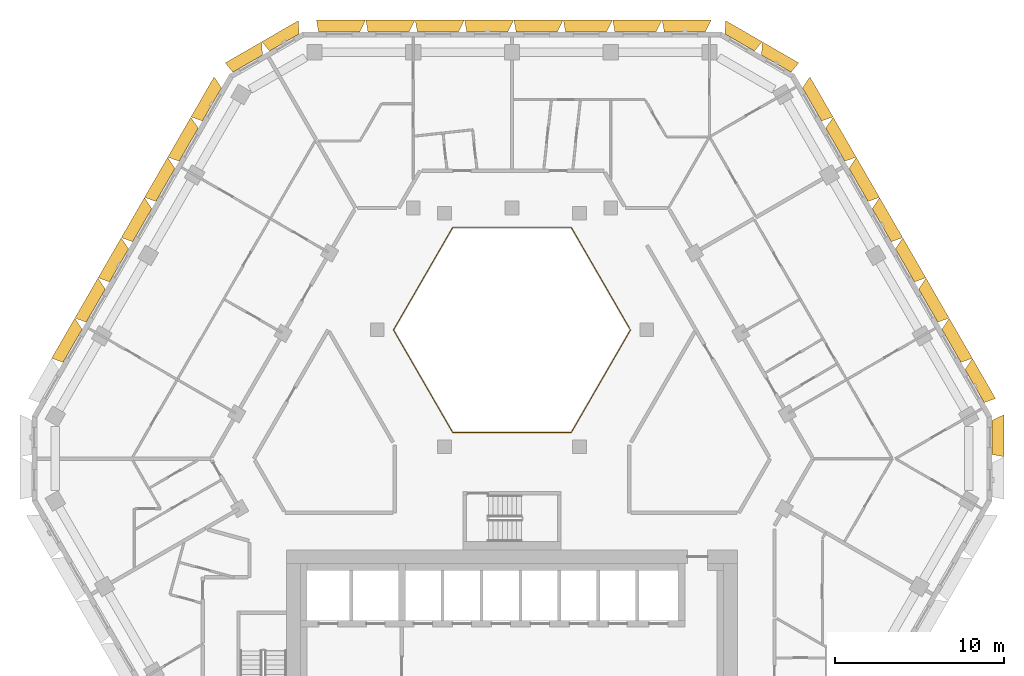
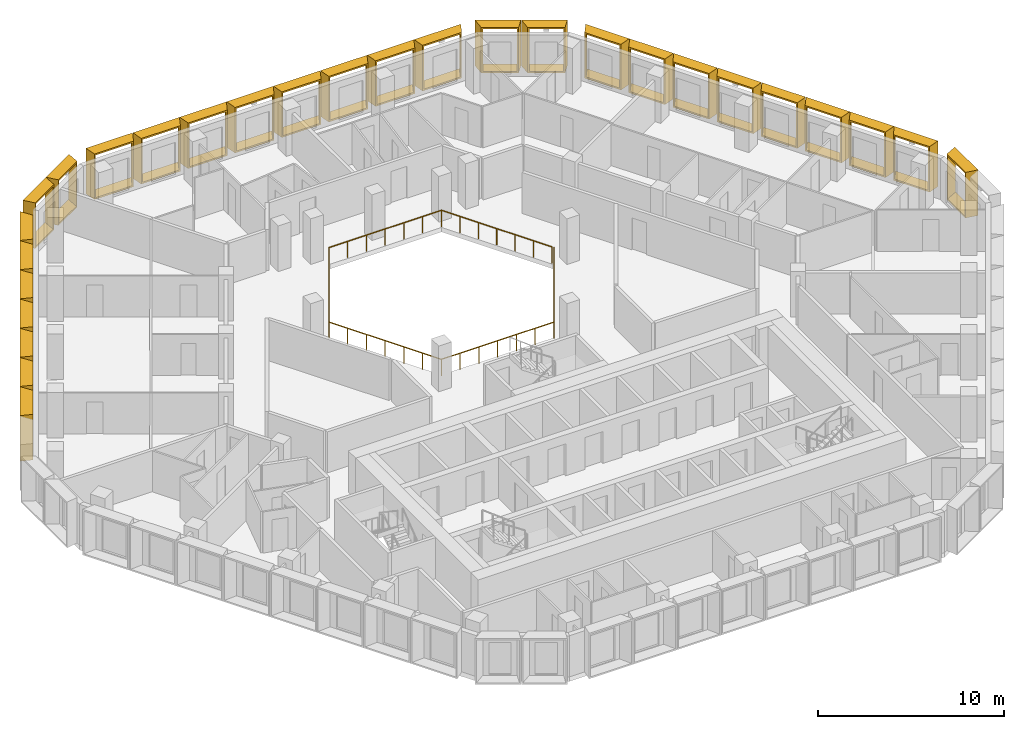
# One storey, part 18 of 18: 28 shading devices, 1 railing.
"""IFC4 building model written with IfcOpenShell, lengths in metres."""

import ifcopenshell
import ifcopenshell.guid

model = None  # the IFC model being written
_history = None  # IfcOwnerHistory: only IFC2X3 demands one
_inside = {}  # id of a spatial element -> (the spatial element, [elements in it])
_under = {}  # id of a project, library or spatial element -> (it, [spatial elements below it])
_declared = {}  # id of a project -> (the project, [libraries it declares])
_typed = {}  # id of a type object -> (the type object, [elements of that type])
_made_of = {}  # id of a material, layer set ... -> (it, [elements and type objects made of it])


def new_model(schema):
    """Start an empty IFC model of exactly this schema.

    Asked for "IFC4X3", IfcOpenShell would pick the latest addendum, in which some entities
    have other attributes; the version numbers below select the first issue.
    IFC2X3 requires an IfcOwnerHistory on every rooted entity: one is made here for all.
    """
    global model, _history
    if schema == "IFC4X3":
        model = ifcopenshell.file(schema_version=(4, 3, 0, 0))
    else:
        model = ifcopenshell.file(schema=schema)
    _inside.clear()
    _under.clear()
    _declared.clear()
    _typed.clear()
    _made_of.clear()
    _history = None
    if model.schema == "IFC2X3":
        org = make("IfcOrganization", Name="unknown")
        user = make(
            "IfcPersonAndOrganization",
            ThePerson=make("IfcPerson", FamilyName="unknown"),
            TheOrganization=org,
        )
        app = make(
            "IfcApplication",
            ApplicationDeveloper=org,
            Version="unknown",
            ApplicationFullName="unknown",
            ApplicationIdentifier="unknown",
        )
        _history = make(
            "IfcOwnerHistory",
            OwningUser=user,
            OwningApplication=app,
            ChangeAction="ADDED",
            CreationDate=0,
        )
    return model


def make(cls, **values):
    """One entity of the class cls with the attributes given. An attribute that is None is left unset."""
    return model.create_entity(
        cls, **{name: value for name, value in values.items() if value is not None}
    )


def entity(cls, *values):
    """Any entity or typed value of the class cls, its attributes in the order of the schema. None: left unset."""
    e = model.create_entity(cls)
    for i, value in enumerate(values):
        if value is not None:
            e[i] = value
    return e


def rooted(cls, **values):
    """An entity with a GlobalId (a new one), such as an element, a storey or a relation."""
    return make(cls, GlobalId=ifcopenshell.guid.new(), OwnerHistory=_history, **values)


def si_unit(unit_type, name, prefix=None):
    """IfcSIUnit, for example si_unit("LENGTHUNIT", "METRE", prefix="MILLI")."""
    return make("IfcSIUnit", UnitType=unit_type, Prefix=prefix, Name=name)


def assignment(units):
    """IfcUnitAssignment: the units of a project."""
    return None if units is None else make("IfcUnitAssignment", Units=units)


def point(xyz):
    """IfcCartesianPoint."""
    return None if xyz is None else make("IfcCartesianPoint", Coordinates=xyz)


def direction(xyz):
    """IfcDirection."""
    return None if xyz is None else make("IfcDirection", DirectionRatios=xyz)


def frame(location, z_axis=None, x_axis=None):
    """IfcAxis2Placement3D, a coordinate frame: its origin and axes. An axis left out is left unset."""
    return make(
        "IfcAxis2Placement3D",
        Location=point(location),
        Axis=direction(z_axis),
        RefDirection=direction(x_axis),
    )


def frame_2d(location, x_axis=None):
    """IfcAxis2Placement2D, a coordinate frame in the plane: its origin and x axis."""
    return make(
        "IfcAxis2Placement2D", Location=point(location), RefDirection=direction(x_axis)
    )


def origin():
    """The frame at (0, 0, 0) with its axes left unset."""
    return frame((0.0, 0.0, 0.0))


def origin_2d():
    """The frame at (0, 0) in the plane with its x axis left unset."""
    return frame_2d((0.0, 0.0))


def place(relative_to, where):
    """IfcLocalPlacement: puts the frame where relative to a parent placement (None: the world)."""
    return make(
        "IfcLocalPlacement", PlacementRelTo=relative_to, RelativePlacement=where
    )


def context(
    kind, dimensions, precision=None, world=None, true_north=None, identifier=None
):
    """IfcGeometricRepresentationContext, for example the 3D "Model" context."""
    return make(
        "IfcGeometricRepresentationContext",
        ContextIdentifier=identifier,
        ContextType=kind,
        CoordinateSpaceDimension=dimensions,
        Precision=precision,
        WorldCoordinateSystem=world,
        TrueNorth=true_north,
    )


def subcontext(parent, identifier, kind, view, scale=None):
    """IfcGeometricRepresentationSubContext, for example "Body" below "Model"."""
    return make(
        "IfcGeometricRepresentationSubContext",
        ContextIdentifier=identifier,
        ContextType=kind,
        ParentContext=parent,
        TargetScale=scale,
        TargetView=view,
    )


def project(units=None, contexts=None):
    """IfcProject with its units and contexts."""
    return rooted(
        "IfcProject",
        Name="project",
        RepresentationContexts=contexts,
        UnitsInContext=assignment(units),
    )


def spatial(cls, under=None, at=None, **own):
    """A site, building, storey or space (cls), placed at a placement, below another one or the project."""
    s = rooted(cls, ObjectPlacement=at, **own)
    if under is not None:
        _under.setdefault(under.id(), (under, []))[1].append(s)
    return s


def profile(cls, at=None, kind="AREA", **sizes):
    """A parametric profile (cls). Its sizes go by their IFC names, for example OverallWidth=200.0."""
    return make(cls, ProfileType=kind, Position=at, **sizes)


def rectangle(**sizes):
    """IfcRectangleProfileDef."""
    return profile("IfcRectangleProfileDef", **sizes)


def extrude(swept, where, along, depth):
    """IfcExtrudedAreaSolid: the profile swept, set in the frame where, extruded along a direction by depth."""
    return make(
        "IfcExtrudedAreaSolid",
        SweptArea=swept,
        Position=where,
        ExtrudedDirection=direction(along),
        Depth=depth,
    )


def shape(context_of_items, identifier, shape_type, items):
    """IfcShapeRepresentation: the items that make up one representation, for example the "Body"."""
    return make(
        "IfcShapeRepresentation",
        ContextOfItems=context_of_items,
        RepresentationIdentifier=identifier,
        RepresentationType=shape_type,
        Items=items,
    )


def source(mapping_origin, context_of_items, identifier, shape_type, items):
    """IfcRepresentationMap: a shape defined once, which mapped items show again and again."""
    return make(
        "IfcRepresentationMap",
        MappingOrigin=mapping_origin,
        MappedRepresentation=shape(context_of_items, identifier, shape_type, items),
    )


def transform(
    local_origin,
    x_axis=None,
    y_axis=None,
    z_axis=None,
    scale=None,
    scale2=None,
    scale3=None,
    uniform=True,
):
    """IfcCartesianTransformationOperator3D, or its non-uniform kind. x_axis, y_axis, z_axis: its Axis1, 2, 3."""
    if uniform:
        return make(
            "IfcCartesianTransformationOperator3D",
            Axis1=direction(x_axis),
            Axis2=direction(y_axis),
            LocalOrigin=point(local_origin),
            Scale=scale,
            Axis3=direction(z_axis),
        )
    return make(
        "IfcCartesianTransformationOperator3DnonUniform",
        Axis1=direction(x_axis),
        Axis2=direction(y_axis),
        LocalOrigin=point(local_origin),
        Scale=scale,
        Axis3=direction(z_axis),
        Scale2=scale2,
        Scale3=scale3,
    )


def mapped(mapping_source, mapping_target):
    """IfcMappedItem: shows the shape of a source again, moved by a transform."""
    return make(
        "IfcMappedItem", MappingSource=mapping_source, MappingTarget=mapping_target
    )


def material(Name=None, Category=None):
    """IfcMaterial."""
    return make("IfcMaterial", Name=Name, Category=Category)


def made_of(thing, what):
    """Note that an element or type object is made of a material, layer set ...; save() writes the relation."""
    if what is not None:
        _made_of.setdefault(what.id(), (what, []))[1].append(thing)
    return thing


def type_object(cls, material=None, **own):
    """A type object (cls), such as IfcWallType, which elements share."""
    return made_of(rooted(cls, **own), material)


def type_shapes(of_type, sources):
    """Give a type object the sources (RepresentationMaps) that its elements show as mapped items."""
    of_type.RepresentationMaps = sources


def element(
    cls,
    number,
    at=None,
    inside=None,
    cuts=None,
    type_object=None,
    material=None,
    context=None,
    identifier="Body",
    shape_type=None,
    held_by="IfcProductDefinitionShape",
    body=None,
    shapes=None,
    **own,
):
    """One element of the class cls, such as IfcWall. Its Tag is "e" and its number.

    at: its placement. inside: the storey or other place that contains it. cuts: it is an
    opening in that element (IfcRelVoidsElement). A single representation is given by context,
    identifier, shape_type and body (its items); several are given by shapes. held_by: the class
    of the entity that holds the representations. save() writes the other relations.
    """
    e = rooted(cls, Tag="e%d" % number, ObjectPlacement=at, **own)
    if body is not None:
        shapes = [shape(context, identifier, shape_type, body)]
    if shapes is not None:
        e.Representation = make(held_by, Representations=shapes)
    if inside is not None:
        _inside.setdefault(inside.id(), (inside, []))[1].append(e)
    if cuts is not None:
        rooted(
            "IfcRelVoidsElement", RelatingBuildingElement=cuts, RelatedOpeningElement=e
        )
    if type_object is not None:
        _typed.setdefault(type_object.id(), (type_object, []))[1].append(e)
    return made_of(e, material)


def aggregate(whole, parts):
    """IfcRelAggregates: a whole, such as a stair, and the parts it consists of."""
    return rooted("IfcRelAggregates", RelatingObject=whole, RelatedObjects=parts)


def save(model, path):
    """Write the relations noted so far, then the file.

    IfcRelAggregates (storeys below a building ...), IfcRelContainedInSpatialStructure (elements
    in a storey), IfcRelDefinesByType, IfcRelAssociatesMaterial and IfcRelDeclares: one each for
    every whole, place, type object, material and project.
    """
    for whole, parts in _under.values():
        aggregate(whole, parts)
    for where, things in _inside.values():
        rooted(
            "IfcRelContainedInSpatialStructure",
            RelatedElements=things,
            RelatingStructure=where,
        )
    for kind, things in _typed.values():
        rooted("IfcRelDefinesByType", RelatedObjects=things, RelatingType=kind)
    for what, things in _made_of.values():
        rooted("IfcRelAssociatesMaterial", RelatedObjects=things, RelatingMaterial=what)
    for by, libraries in _declared.values():
        rooted("IfcRelDeclares", RelatingContext=by, RelatedDefinitions=libraries)
    model.write(path)


model = new_model("IFC4")

# Units and contexts
model_context = context("Model", 3, precision=1e-05, world=origin(), true_north=direction((0.0, 1.0)))
body_context = subcontext(model_context, "Body", "Model", "MODEL_VIEW")
ifc_project = project(units=[si_unit("LENGTHUNIT", "METRE"), si_unit("AREAUNIT", "SQUARE_METRE"), si_unit("VOLUMEUNIT", "CUBIC_METRE"), si_unit("PLANEANGLEUNIT", "RADIAN"), si_unit("MASSUNIT", "GRAM", prefix="KILO")], contexts=[model_context])

# Site, building, storey
site_placement = place(None, origin())
site = spatial("IfcSite", under=ifc_project, at=site_placement, CompositionType="ELEMENT")
building_placement = place(site_placement, origin())
building = spatial("IfcBuilding", under=site, at=building_placement, Name="Beryl Residences", CompositionType="ELEMENT")
storey_placement = place(building_placement, frame((0.0, 0.0, 138.60009765625)))
storey = spatial("IfcBuildingStorey", under=building, at=storey_placement, Name="L42", CompositionType="ELEMENT", Elevation=138.60009765625)

# Railing
ifc_material_1 = material(Name="Stainless steel balustrade with glass infill", Category="steel")
railing_type = type_object("IfcRailingType", Name="EG1 edge guard 1100 mm", PredefinedType="GUARDRAIL", material=ifc_material_1)
railing_placement = place(storey_placement, frame((6.9970703125, 8.0, 0.0)))
element("IfcRailing", 1, at=railing_placement, inside=storey, type_object=railing_type, Name="L42 atrium guard", PredefinedType="GUARDRAIL", context=body_context, shape_type="SweptSolid", body=[
    extrude(rectangle(XDim=0.048095703125, YDim=0.048095703125, at=origin_2d()), frame((0.0, 0.0, 1.076171875), z_axis=(-0.499921796684, -0.866070549782, 0.0), x_axis=(0.866070549782, -0.499921796684, 0.0)), (0.0, 0.0, 1.0), 6.9970703125),
    extrude(rectangle(XDim=0.048095703125, YDim=0.048095703125, at=origin_2d()), frame((-3.498046875, -6.06005859375, 1.076171875), z_axis=(-1.0, 0.0, 0.0), x_axis=(0.0, -1.0, 0.0)), (0.0, 0.0, 1.0), 6.998046875),
    extrude(rectangle(XDim=0.048095703125, YDim=0.048095703125, at=origin_2d()), frame((-10.49609375, -6.06005859375, 1.076171875), z_axis=(-0.499921796684, 0.866070549782, 0.0), x_axis=(-0.866070549782, -0.499921796684, 0.0)), (0.0, 0.0, 1.0), 6.9970703125),
    extrude(rectangle(XDim=0.048095703125, YDim=0.048095703125, at=origin_2d()), frame((-13.994140625, 0.0, 1.076171875), z_axis=(0.499921796684, 0.866070549782, 0.0), x_axis=(-0.866070549782, 0.499921796684, 0.0)), (0.0, 0.0, 1.0), 6.9970703125),
    extrude(rectangle(XDim=0.048095703125, YDim=0.048095703125, at=origin_2d()), frame((-10.49609375, 6.06005859375, 1.076171875), z_axis=(1.0, 0.0, 0.0), x_axis=(0.0, 1.0, 0.0)), (0.0, 0.0, 1.0), 6.998046875),
    extrude(rectangle(XDim=0.048095703125, YDim=0.048095703125, at=origin_2d()), frame((-3.498046875, 6.06005859375, 1.076171875), z_axis=(0.499919131929, -0.866072087953, 0.0), x_axis=(0.866072087953, 0.499919131929, 0.0)), (0.0, 0.0, 1.0), 6.877197265625),
    extrude(rectangle(XDim=0.0419921875, YDim=0.0419921875, at=origin_2d()), origin(), (0.0, 0.0, 1.0), 1.052001953125),
    extrude(rectangle(XDim=0.0419921875, YDim=0.0419921875, at=origin_2d()), frame((-0.5830078125, -1.010009765625, 0.0)), (0.0, 0.0, 1.0), 1.052001953125),
    extrude(rectangle(XDim=0.0419921875, YDim=0.0419921875, at=origin_2d()), frame((-1.166015625, -2.02001953125, 0.0)), (0.0, 0.0, 1.0), 1.052001953125),
    extrude(rectangle(XDim=0.0419921875, YDim=0.0419921875, at=origin_2d()), frame((-1.7490234375, -3.030029296875, 0.0)), (0.0, 0.0, 1.0), 1.052001953125),
    extrude(rectangle(XDim=0.0419921875, YDim=0.0419921875, at=origin_2d()), frame((-2.33203125, -4.0400390625, 0.0)), (0.0, 0.0, 1.0), 1.052001953125),
    extrude(rectangle(XDim=0.0419921875, YDim=0.0419921875, at=origin_2d()), frame((-2.9150390625, -5.050048828125, 0.0)), (0.0, 0.0, 1.0), 1.052001953125),
    extrude(rectangle(XDim=0.0419921875, YDim=0.0419921875, at=origin_2d()), frame((-3.498046875, -6.06005859375, 0.0)), (0.0, 0.0, 1.0), 1.052001953125),
    extrude(rectangle(XDim=0.0419921875, YDim=0.0419921875, at=origin_2d()), frame((-4.664306640625, -6.06005859375, 0.0)), (0.0, 0.0, 1.0), 1.052001953125),
    extrude(rectangle(XDim=0.0419921875, YDim=0.0419921875, at=origin_2d()), frame((-5.830810546875, -6.06005859375, 0.0)), (0.0, 0.0, 1.0), 1.052001953125),
    extrude(rectangle(XDim=0.0419921875, YDim=0.0419921875, at=origin_2d()), frame((-6.9970703125, -6.06005859375, 0.0)), (0.0, 0.0, 1.0), 1.052001953125),
    extrude(rectangle(XDim=0.0419921875, YDim=0.0419921875, at=origin_2d()), frame((-8.163330078125, -6.06005859375, 0.0)), (0.0, 0.0, 1.0), 1.052001953125),
    extrude(rectangle(XDim=0.0419921875, YDim=0.0419921875, at=origin_2d()), frame((-9.329833984375, -6.06005859375, 0.0)), (0.0, 0.0, 1.0), 1.052001953125),
    extrude(rectangle(XDim=0.0419921875, YDim=0.0419921875, at=origin_2d()), frame((-10.49609375, -6.06005859375, 0.0)), (0.0, 0.0, 1.0), 1.052001953125),
    extrude(rectangle(XDim=0.0419921875, YDim=0.0419921875, at=origin_2d()), frame((-11.0791015625, -5.050048828125, 0.0)), (0.0, 0.0, 1.0), 1.052001953125),
    extrude(rectangle(XDim=0.0419921875, YDim=0.0419921875, at=origin_2d()), frame((-11.662109375, -4.0400390625, 0.0)), (0.0, 0.0, 1.0), 1.052001953125),
    extrude(rectangle(XDim=0.0419921875, YDim=0.0419921875, at=origin_2d()), frame((-12.2451171875, -3.030029296875, 0.0)), (0.0, 0.0, 1.0), 1.052001953125),
    extrude(rectangle(XDim=0.0419921875, YDim=0.0419921875, at=origin_2d()), frame((-12.828125, -2.02001953125, 0.0)), (0.0, 0.0, 1.0), 1.052001953125),
    extrude(rectangle(XDim=0.0419921875, YDim=0.0419921875, at=origin_2d()), frame((-13.4111328125, -1.010009765625, 0.0)), (0.0, 0.0, 1.0), 1.052001953125),
    extrude(rectangle(XDim=0.0419921875, YDim=0.0419921875, at=origin_2d()), frame((-13.994140625, 0.0, 0.0)), (0.0, 0.0, 1.0), 1.052001953125),
    extrude(rectangle(XDim=0.0419921875, YDim=0.0419921875, at=origin_2d()), frame((-13.4111328125, 1.010009765625, 0.0)), (0.0, 0.0, 1.0), 1.052001953125),
    extrude(rectangle(XDim=0.0419921875, YDim=0.0419921875, at=origin_2d()), frame((-12.828125, 2.02001953125, 0.0)), (0.0, 0.0, 1.0), 1.052001953125),
    extrude(rectangle(XDim=0.0419921875, YDim=0.0419921875, at=origin_2d()), frame((-12.2451171875, 3.030029296875, 0.0)), (0.0, 0.0, 1.0), 1.052001953125),
    extrude(rectangle(XDim=0.0419921875, YDim=0.0419921875, at=origin_2d()), frame((-11.662109375, 4.0400390625, 0.0)), (0.0, 0.0, 1.0), 1.052001953125),
    extrude(rectangle(XDim=0.0419921875, YDim=0.0419921875, at=origin_2d()), frame((-11.0791015625, 5.050048828125, 0.0)), (0.0, 0.0, 1.0), 1.052001953125),
    extrude(rectangle(XDim=0.0419921875, YDim=0.0419921875, at=origin_2d()), frame((-10.49609375, 6.06005859375, 0.0)), (0.0, 0.0, 1.0), 1.052001953125),
    extrude(rectangle(XDim=0.0419921875, YDim=0.0419921875, at=origin_2d()), frame((-9.329833984375, 6.06005859375, 0.0)), (0.0, 0.0, 1.0), 1.052001953125),
    extrude(rectangle(XDim=0.0419921875, YDim=0.0419921875, at=origin_2d()), frame((-8.163330078125, 6.06005859375, 0.0)), (0.0, 0.0, 1.0), 1.052001953125),
    extrude(rectangle(XDim=0.0419921875, YDim=0.0419921875, at=origin_2d()), frame((-6.9970703125, 6.06005859375, 0.0)), (0.0, 0.0, 1.0), 1.052001953125),
    extrude(rectangle(XDim=0.0419921875, YDim=0.0419921875, at=origin_2d()), frame((-5.830810546875, 6.06005859375, 0.0)), (0.0, 0.0, 1.0), 1.052001953125),
    extrude(rectangle(XDim=0.0419921875, YDim=0.0419921875, at=origin_2d()), frame((-4.664306640625, 6.06005859375, 0.0)), (0.0, 0.0, 1.0), 1.052001953125),
    extrude(rectangle(XDim=0.0419921875, YDim=0.0419921875, at=origin_2d()), frame((-3.498046875, 6.06005859375, 0.0)), (0.0, 0.0, 1.0), 1.052001953125),
    extrude(rectangle(XDim=0.0419921875, YDim=0.0419921875, at=origin_2d()), frame((-2.925048828125, 5.0673828125, 0.0)), (0.0, 0.0, 1.0), 1.052001953125),
    extrude(rectangle(XDim=0.0419921875, YDim=0.0419921875, at=origin_2d()), frame((-2.35205078125, 4.07470703125, 0.0)), (0.0, 0.0, 1.0), 1.052001953125),
    extrude(rectangle(XDim=0.0419921875, YDim=0.0419921875, at=origin_2d()), frame((-1.779052734375, 3.08203125, 0.0)), (0.0, 0.0, 1.0), 1.052001953125),
    extrude(rectangle(XDim=0.0419921875, YDim=0.0419921875, at=origin_2d()), frame((-1.2060546875, 2.08935546875, 0.0)), (0.0, 0.0, 1.0), 1.052001953125),
    extrude(rectangle(XDim=0.0419921875, YDim=0.0419921875, at=origin_2d()), frame((-0.633056640625, 1.0966796875, 0.0)), (0.0, 0.0, 1.0), 1.052001953125),
    extrude(rectangle(XDim=0.0419921875, YDim=0.0419921875, at=origin_2d()), frame((-0.06005859375, 0.10400390625, 0.0)), (0.0, 0.0, 1.0), 1.052001953125),
])

# Shading devices
ifc_material_2 = material(Name="Aluminium pale anodised", Category="aluminium")
shading_device_type_1 = type_object("IfcShadingDeviceType", Name="FR250-70B OUTER SKIN frame 700 mm deep, splay 26/10 deg, 2500 x 3000 mm cell", PredefinedType="USERDEFINED", material=ifc_material_2)
cartesian_point_1 = entity("IfcCartesianPoint", [-1.007568359375, 0.0])
cartesian_point_2 = entity("IfcCartesianPoint", [-0.91845703125, 0.10009765625])
cartesian_point_3 = entity("IfcCartesianPoint", [-1.348876953125, 0.0])
cartesian_point_4 = entity("IfcCartesianPoint", [-1.260009765625, 0.10009765625])
shared_shape_1 = source(origin(), body_context, "Body", "SweptSolid", [
    entity("IfcExtrudedAreaSolidTapered", entity("IfcArbitraryProfileDefWithVoids", "AREA", None, entity("IfcPolyline", [cartesian_point_1, entity("IfcCartesianPoint", [1.007568359375, 0.0]), entity("IfcCartesianPoint", [1.007568359375, 3.0]), entity("IfcCartesianPoint", [-1.007568359375, 3.0]), cartesian_point_1]), [entity("IfcPolyline", [cartesian_point_2, entity("IfcCartesianPoint", [0.92626953125, 0.10009765625]), entity("IfcCartesianPoint", [0.92626953125, 2.89990234375]), entity("IfcCartesianPoint", [-0.91845703125, 2.89990234375]), cartesian_point_2])]), entity("IfcAxis2Placement3D", entity("IfcCartesianPoint", [0.0, 0.0, 0.0]), entity("IfcDirection", [0.0, 1.0, 0.0]), entity("IfcDirection", [-1.0, 0.0, 0.0])), entity("IfcDirection", [0.0, 0.0, 1.0]), 0.699951171875, entity("IfcArbitraryProfileDefWithVoids", "AREA", None, entity("IfcPolyline", [cartesian_point_3, entity("IfcCartesianPoint", [1.130859375, 0.0]), entity("IfcCartesianPoint", [1.130859375, 3.0]), entity("IfcCartesianPoint", [-1.348876953125, 3.0]), cartesian_point_3]), [entity("IfcPolyline", [cartesian_point_4, entity("IfcCartesianPoint", [1.0498046875, 0.10009765625]), entity("IfcCartesianPoint", [1.0498046875, 2.89990234375]), entity("IfcCartesianPoint", [-1.260009765625, 2.89990234375]), cartesian_point_4])])),
])
type_shapes(shading_device_type_1, [shared_shape_1])
for number, where, z_axis, x_axis, name in (
    (2, (-13.43798828125, 24.97509765625, 0.0), (0.0, 0.0, 1.0), (0.866025403784, 0.5, 0.0), "FR250-70B frame L42 N-NW 1"),
    (3, (-15.60205078125, 23.72509765625, 0.0), (0.0, 0.0, 1.0), (0.866025403784, 0.5, 0.0), "FR250-70B frame L42 N-NW 2"),
):
    element("IfcShadingDevice", number, at=place(storey_placement, frame(where, z_axis=z_axis, x_axis=x_axis)), inside=storey, type_object=shading_device_type_1, Name=name, ObjectType="OUTER SKIN", PredefinedType="USERDEFINED", context=body_context, shape_type="MappedRepresentation", body=[
        mapped(shared_shape_1, transform((0.0, 0.0, 0.0))),
    ])
ifc_material_3 = material(Name="Aluminium pale anodised", Category="aluminium")
shading_device_type_2 = type_object("IfcShadingDeviceType", Name="FR250-70C OUTER SKIN frame 700 mm deep, splay 10/26 deg, 2500 x 3000 mm cell", PredefinedType="USERDEFINED", material=ifc_material_3)
cartesian_point_5 = entity("IfcCartesianPoint", [-1.007568359375, 0.0])
cartesian_point_6 = entity("IfcCartesianPoint", [-0.92626953125, 0.10009765625])
cartesian_point_7 = entity("IfcCartesianPoint", [-1.130859375, 0.0])
cartesian_point_8 = entity("IfcCartesianPoint", [-1.0498046875, 0.10009765625])
shared_shape_2 = source(origin(), body_context, "Body", "SweptSolid", [
    entity("IfcExtrudedAreaSolidTapered", entity("IfcArbitraryProfileDefWithVoids", "AREA", None, entity("IfcPolyline", [cartesian_point_5, entity("IfcCartesianPoint", [1.007568359375, 0.0]), entity("IfcCartesianPoint", [1.007568359375, 3.0]), entity("IfcCartesianPoint", [-1.007568359375, 3.0]), cartesian_point_5]), [entity("IfcPolyline", [cartesian_point_6, entity("IfcCartesianPoint", [0.91845703125, 0.10009765625]), entity("IfcCartesianPoint", [0.91845703125, 2.89990234375]), entity("IfcCartesianPoint", [-0.92626953125, 2.89990234375]), cartesian_point_6])]), entity("IfcAxis2Placement3D", entity("IfcCartesianPoint", [0.0, 0.0, 0.0]), entity("IfcDirection", [0.0, 1.0, 0.0]), entity("IfcDirection", [-1.0, 0.0, 0.0])), entity("IfcDirection", [0.0, 0.0, 1.0]), 0.699951171875, entity("IfcArbitraryProfileDefWithVoids", "AREA", None, entity("IfcPolyline", [cartesian_point_7, entity("IfcCartesianPoint", [1.348876953125, 0.0]), entity("IfcCartesianPoint", [1.348876953125, 3.0]), entity("IfcCartesianPoint", [-1.130859375, 3.0]), cartesian_point_7]), [entity("IfcPolyline", [cartesian_point_8, entity("IfcCartesianPoint", [1.260009765625, 0.10009765625]), entity("IfcCartesianPoint", [1.260009765625, 2.89990234375]), entity("IfcCartesianPoint", [-1.0498046875, 2.89990234375]), cartesian_point_8])])),
])
type_shapes(shading_device_type_2, [shared_shape_2])
for number, where, z_axis, x_axis, name in (
    (4, (28.347900390625, 1.64990234375, 0.0), (0.0, 0.0, 1.0), (0.0, -1.0, 0.0), "FR250-70C frame L42 SE-NE 2"),
    (5, (15.60205078125, 23.72509765625, 0.0), (0.0, 0.0, 1.0), (0.866025403784, -0.5, 0.0), "FR250-70C frame L42 NE-N 1"),
    (6, (13.43798828125, 24.97509765625, 0.0), (0.0, 0.0, 1.0), (0.866025403784, -0.5, 0.0), "FR250-70C frame L42 NE-N 2"),
):
    element("IfcShadingDevice", number, at=place(storey_placement, frame(where, z_axis=z_axis, x_axis=x_axis)), inside=storey, type_object=shading_device_type_2, Name=name, ObjectType="OUTER SKIN", PredefinedType="USERDEFINED", context=body_context, shape_type="MappedRepresentation", body=[
        mapped(shared_shape_2, transform((0.0, 0.0, 0.0))),
    ])
ifc_material_4 = material(Name="Aluminium pale anodised", Category="aluminium")
shading_device_type_3 = type_object("IfcShadingDeviceType", Name="FR274-70B OUTER SKIN frame 700 mm deep, splay 26/10 deg, 2740 x 3000 mm cell", PredefinedType="USERDEFINED", material=ifc_material_4)
cartesian_point_9 = entity("IfcCartesianPoint", [-1.12744140625, 0.0])
cartesian_point_10 = entity("IfcCartesianPoint", [-1.03857421875, 0.10009765625])
cartesian_point_11 = entity("IfcCartesianPoint", [-1.468994140625, 0.0])
cartesian_point_12 = entity("IfcCartesianPoint", [-1.3798828125, 0.10009765625])
shared_shape_3 = source(origin(), body_context, "Body", "SweptSolid", [
    entity("IfcExtrudedAreaSolidTapered", entity("IfcArbitraryProfileDefWithVoids", "AREA", None, entity("IfcPolyline", [cartesian_point_9, entity("IfcCartesianPoint", [1.12744140625, 0.0]), entity("IfcCartesianPoint", [1.12744140625, 3.0]), entity("IfcCartesianPoint", [-1.12744140625, 3.0]), cartesian_point_9]), [entity("IfcPolyline", [cartesian_point_10, entity("IfcCartesianPoint", [1.04638671875, 0.10009765625]), entity("IfcCartesianPoint", [1.04638671875, 2.89990234375]), entity("IfcCartesianPoint", [-1.03857421875, 2.89990234375]), cartesian_point_10])]), entity("IfcAxis2Placement3D", entity("IfcCartesianPoint", [0.0, 0.0, 0.0]), entity("IfcDirection", [0.0, 1.0, 0.0]), entity("IfcDirection", [-1.0, 0.0, 0.0])), entity("IfcDirection", [0.0, 0.0, 1.0]), 0.699951171875, entity("IfcArbitraryProfileDefWithVoids", "AREA", None, entity("IfcPolyline", [cartesian_point_11, entity("IfcCartesianPoint", [1.2509765625, 0.0]), entity("IfcCartesianPoint", [1.2509765625, 3.0]), entity("IfcCartesianPoint", [-1.468994140625, 3.0]), cartesian_point_11]), [entity("IfcPolyline", [cartesian_point_12, entity("IfcCartesianPoint", [1.169677734375, 0.10009765625]), entity("IfcCartesianPoint", [1.169677734375, 2.89990234375]), entity("IfcCartesianPoint", [-1.3798828125, 2.89990234375]), cartesian_point_12])])),
])
type_shapes(shading_device_type_3, [shared_shape_3])
for number, where, z_axis, x_axis, name in (
    (7, (-17.718017578125, 21.31298828125, 0.0), (0.0, 0.0, 1.0), (0.5, 0.866025403784, 0.0), "FR274-70B frame L42 NW 1"),
    (8, (-19.089111328125, 18.93798828125, 0.0), (0.0, 0.0, 1.0), (0.5, 0.866025403784, 0.0), "FR274-70B frame L42 NW 2"),
    (9, (-20.4599609375, 16.56298828125, 0.0), (0.0, 0.0, 1.0), (0.5, 0.866025403784, 0.0), "FR274-70B frame L42 NW 3"),
    (10, (-21.8310546875, 14.18798828125, 0.0), (0.0, 0.0, 1.0), (0.5, 0.866025403784, 0.0), "FR274-70B frame L42 NW 4"),
    (11, (-23.202880859375, 11.81201171875, 0.0), (0.0, 0.0, 1.0), (0.5, 0.866025403784, 0.0), "FR274-70B frame L42 NW 5"),
    (12, (-24.573974609375, 9.43701171875, 0.0), (0.0, 0.0, 1.0), (0.5, 0.866025403784, 0.0), "FR274-70B frame L42 NW 6"),
    (13, (-25.945068359375, 7.06201171875, 0.0), (0.0, 0.0, 1.0), (0.5, 0.866025403784, 0.0), "FR274-70B frame L42 NW 7"),
):
    element("IfcShadingDevice", number, at=place(storey_placement, frame(where, z_axis=z_axis, x_axis=x_axis)), inside=storey, type_object=shading_device_type_3, Name=name, ObjectType="OUTER SKIN", PredefinedType="USERDEFINED", context=body_context, shape_type="MappedRepresentation", body=[
        mapped(shared_shape_3, transform((0.0, 0.0, 0.0))),
    ])
ifc_material_5 = material(Name="Aluminium pale anodised", Category="aluminium")
shading_device_type_4 = type_object("IfcShadingDeviceType", Name="FR274-70C OUTER SKIN frame 700 mm deep, splay 10/26 deg, 2740 x 3000 mm cell", PredefinedType="USERDEFINED", material=ifc_material_5)
cartesian_point_13 = entity("IfcCartesianPoint", [-1.12744140625, 0.0])
cartesian_point_14 = entity("IfcCartesianPoint", [-1.04638671875, 0.10009765625])
cartesian_point_15 = entity("IfcCartesianPoint", [-1.2509765625, 0.0])
cartesian_point_16 = entity("IfcCartesianPoint", [-1.169677734375, 0.10009765625])
shared_shape_4 = source(origin(), body_context, "Body", "SweptSolid", [
    entity("IfcExtrudedAreaSolidTapered", entity("IfcArbitraryProfileDefWithVoids", "AREA", None, entity("IfcPolyline", [cartesian_point_13, entity("IfcCartesianPoint", [1.12744140625, 0.0]), entity("IfcCartesianPoint", [1.12744140625, 3.0]), entity("IfcCartesianPoint", [-1.12744140625, 3.0]), cartesian_point_13]), [entity("IfcPolyline", [cartesian_point_14, entity("IfcCartesianPoint", [1.03857421875, 0.10009765625]), entity("IfcCartesianPoint", [1.03857421875, 2.89990234375]), entity("IfcCartesianPoint", [-1.04638671875, 2.89990234375]), cartesian_point_14])]), entity("IfcAxis2Placement3D", entity("IfcCartesianPoint", [0.0, 0.0, 0.0]), entity("IfcDirection", [0.0, 1.0, 0.0]), entity("IfcDirection", [-1.0, 0.0, 0.0])), entity("IfcDirection", [0.0, 0.0, 1.0]), 0.699951171875, entity("IfcArbitraryProfileDefWithVoids", "AREA", None, entity("IfcPolyline", [cartesian_point_15, entity("IfcCartesianPoint", [1.468994140625, 0.0]), entity("IfcCartesianPoint", [1.468994140625, 3.0]), entity("IfcCartesianPoint", [-1.2509765625, 3.0]), cartesian_point_15]), [entity("IfcPolyline", [cartesian_point_16, entity("IfcCartesianPoint", [1.3798828125, 0.10009765625]), entity("IfcCartesianPoint", [1.3798828125, 2.89990234375]), entity("IfcCartesianPoint", [-1.169677734375, 2.89990234375]), cartesian_point_16])])),
])
type_shapes(shading_device_type_4, [shared_shape_4])
for number, where, z_axis, x_axis, name in (
    (14, (27.31591796875, 4.68701171875, 0.0), (0.0, 0.0, 1.0), (0.5, -0.866025403784, 0.0), "FR274-70C frame L42 NE 1"),
    (15, (25.945068359375, 7.06201171875, 0.0), (0.0, 0.0, 1.0), (0.5, -0.866025403784, 0.0), "FR274-70C frame L42 NE 2"),
    (16, (24.573974609375, 9.43701171875, 0.0), (0.0, 0.0, 1.0), (0.5, -0.866025403784, 0.0), "FR274-70C frame L42 NE 3"),
    (17, (23.202880859375, 11.81201171875, 0.0), (0.0, 0.0, 1.0), (0.5, -0.866025403784, 0.0), "FR274-70C frame L42 NE 4"),
    (18, (21.8310546875, 14.18798828125, 0.0), (0.0, 0.0, 1.0), (0.5, -0.866025403784, 0.0), "FR274-70C frame L42 NE 5"),
    (19, (20.4599609375, 16.56298828125, 0.0), (0.0, 0.0, 1.0), (0.5, -0.866025403784, 0.0), "FR274-70C frame L42 NE 6"),
    (20, (19.089111328125, 18.93798828125, 0.0), (0.0, 0.0, 1.0), (0.5, -0.866025403784, 0.0), "FR274-70C frame L42 NE 7"),
    (21, (17.718017578125, 21.31298828125, 0.0), (0.0, 0.0, 1.0), (0.5, -0.866025403784, 0.0), "FR274-70C frame L42 NE 8"),
):
    element("IfcShadingDevice", number, at=place(storey_placement, frame(where, z_axis=z_axis, x_axis=x_axis)), inside=storey, type_object=shading_device_type_4, Name=name, ObjectType="OUTER SKIN", PredefinedType="USERDEFINED", context=body_context, shape_type="MappedRepresentation", body=[
        mapped(shared_shape_4, transform((0.0, 0.0, 0.0))),
    ])
ifc_material_6 = material(Name="Aluminium pale anodised", Category="aluminium")
shading_device_type_5 = type_object("IfcShadingDeviceType", Name="FR292-70B OUTER SKIN frame 700 mm deep, splay 26/10 deg, 2920 x 3000 mm cell", PredefinedType="USERDEFINED", material=ifc_material_6)
cartesian_point_17 = entity("IfcCartesianPoint", [-1.217529296875, 0.0])
cartesian_point_18 = entity("IfcCartesianPoint", [-1.12841796875, 0.10009765625])
cartesian_point_19 = entity("IfcCartesianPoint", [-1.558837890625, 0.0])
cartesian_point_20 = entity("IfcCartesianPoint", [-1.469970703125, 0.10009765625])
shared_shape_5 = source(origin(), body_context, "Body", "SweptSolid", [
    entity("IfcExtrudedAreaSolidTapered", entity("IfcArbitraryProfileDefWithVoids", "AREA", None, entity("IfcPolyline", [cartesian_point_17, entity("IfcCartesianPoint", [1.217529296875, 0.0]), entity("IfcCartesianPoint", [1.217529296875, 3.0]), entity("IfcCartesianPoint", [-1.217529296875, 3.0]), cartesian_point_17]), [entity("IfcPolyline", [cartesian_point_18, entity("IfcCartesianPoint", [1.13623046875, 0.10009765625]), entity("IfcCartesianPoint", [1.13623046875, 2.89990234375]), entity("IfcCartesianPoint", [-1.12841796875, 2.89990234375]), cartesian_point_18])]), entity("IfcAxis2Placement3D", entity("IfcCartesianPoint", [0.0, 0.0, 0.0]), entity("IfcDirection", [0.0, 1.0, 0.0]), entity("IfcDirection", [-1.0, 0.0, 0.0])), entity("IfcDirection", [0.0, 0.0, 1.0]), 0.699951171875, entity("IfcArbitraryProfileDefWithVoids", "AREA", None, entity("IfcPolyline", [cartesian_point_19, entity("IfcCartesianPoint", [1.3408203125, 0.0]), entity("IfcCartesianPoint", [1.3408203125, 3.0]), entity("IfcCartesianPoint", [-1.558837890625, 3.0]), cartesian_point_19]), [entity("IfcPolyline", [cartesian_point_20, entity("IfcCartesianPoint", [1.259765625, 0.10009765625]), entity("IfcCartesianPoint", [1.259765625, 2.89990234375]), entity("IfcCartesianPoint", [-1.469970703125, 2.89990234375]), cartesian_point_20])])),
])
type_shapes(shading_device_type_5, [shared_shape_5])
for number, where, z_axis, x_axis, name in (
    (22, (10.2041015625, 25.60009765625, 0.0), (0.0, 0.0, 1.0), (1.0, 0.0, 0.0), "FR292-70B frame L42 N 1"),
    (23, (7.2890625, 25.60009765625, 0.0), (0.0, 0.0, 1.0), (1.0, 0.0, 0.0), "FR292-70B frame L42 N 2"),
    (24, (4.373046875, 25.60009765625, 0.0), (0.0, 0.0, 1.0), (1.0, 0.0, 0.0), "FR292-70B frame L42 N 3"),
    (25, (1.4580078125, 25.60009765625, 0.0), (0.0, 0.0, 1.0), (1.0, 0.0, 0.0), "FR292-70B frame L42 N 4"),
    (26, (-1.4580078125, 25.60009765625, 0.0), (0.0, 0.0, 1.0), (1.0, 0.0, 0.0), "FR292-70B frame L42 N 5"),
    (27, (-4.373046875, 25.60009765625, 0.0), (0.0, 0.0, 1.0), (1.0, 0.0, 0.0), "FR292-70B frame L42 N 6"),
    (28, (-7.2890625, 25.60009765625, 0.0), (0.0, 0.0, 1.0), (1.0, 0.0, 0.0), "FR292-70B frame L42 N 7"),
    (29, (-10.2041015625, 25.60009765625, 0.0), (0.0, 0.0, 1.0), (1.0, 0.0, 0.0), "FR292-70B frame L42 N 8"),
):
    element("IfcShadingDevice", number, at=place(storey_placement, frame(where, z_axis=z_axis, x_axis=x_axis)), inside=storey, type_object=shading_device_type_5, Name=name, ObjectType="OUTER SKIN", PredefinedType="USERDEFINED", context=body_context, shape_type="MappedRepresentation", body=[
        mapped(shared_shape_5, transform((0.0, 0.0, 0.0))),
    ])

save(model, "model.ifc")
